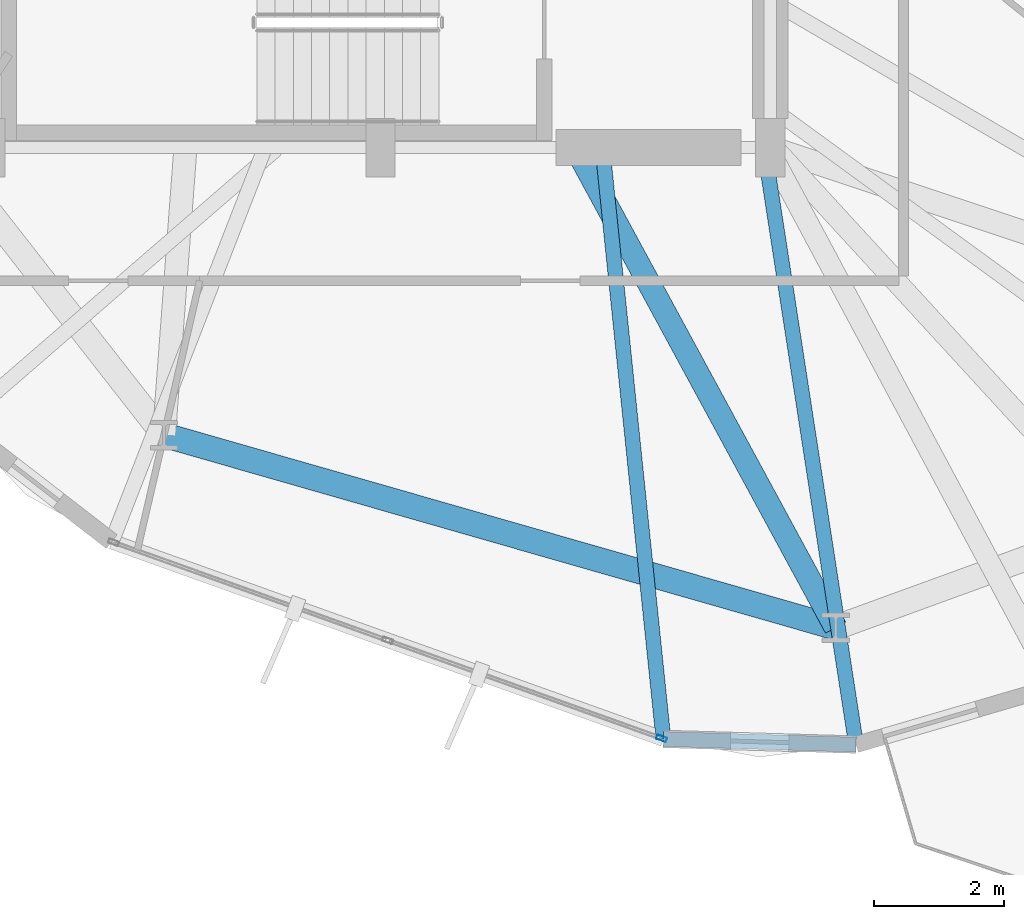
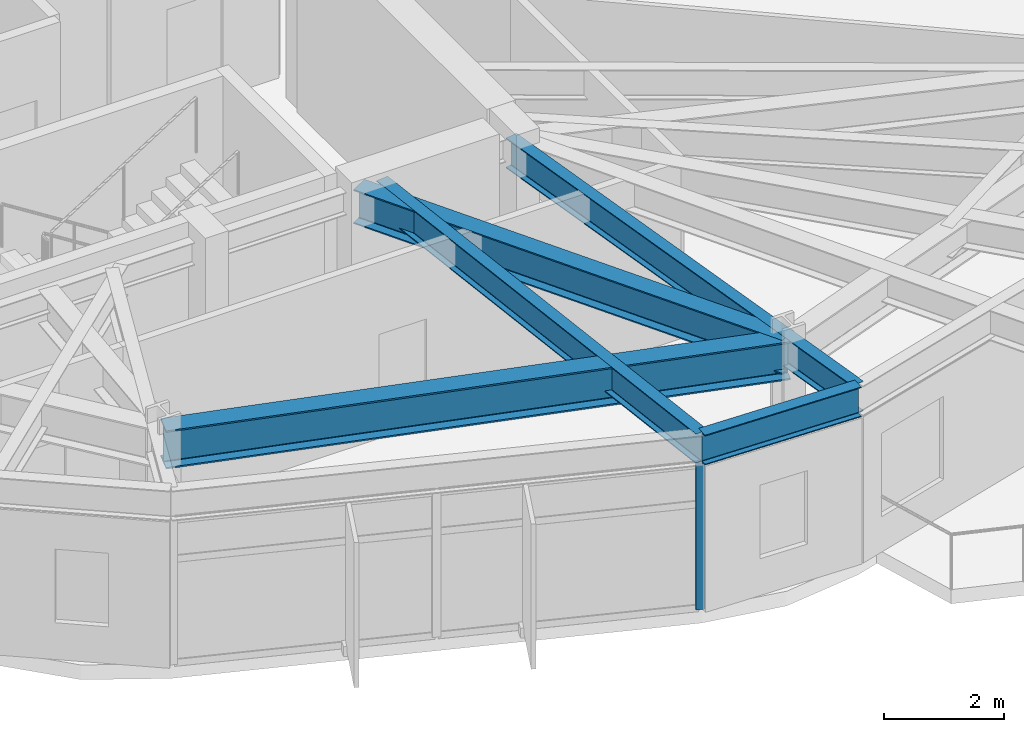
# One storey, part 4 of 24: 5 beams, 1 member, 1 element without a shape of its own.
"""IFC4 building model written with IfcOpenShell, lengths in metres."""

from ifc_helpers import new_model, si_unit, direction, frame, origin, origin_2d, place, context, subcontext, project, spatial, hollow_rectangle, i_section, extrude, material, layer, layer_set, material_profile, profile_set, type_object, element, aggregate, save


model = new_model("IFC4")

# Units and contexts
model_context = context("Model", 3, precision=1e-05, world=origin(), true_north=direction((0.0, 1.0)))
body_context = subcontext(model_context, "Body", "Model", "MODEL_VIEW")
ifc_project = project(units=[si_unit("LENGTHUNIT", "METRE"), si_unit("AREAUNIT", "SQUARE_METRE"), si_unit("VOLUMEUNIT", "CUBIC_METRE"), si_unit("PLANEANGLEUNIT", "RADIAN"), si_unit("MASSUNIT", "GRAM", prefix="KILO")], contexts=[model_context])

# Site, building, storey
site_placement = place(None, origin())
site = spatial("IfcSite", under=ifc_project, at=site_placement, CompositionType="ELEMENT")
building_placement = place(site_placement, origin())
building = spatial("IfcBuilding", under=site, at=building_placement, Name="Soratama Intermodal Tower", CompositionType="ELEMENT")
storey_placement = place(building_placement, frame((0.0, 0.0, 91.300048828125)))
storey = spatial("IfcBuildingStorey", under=building, at=storey_placement, Name="L21", CompositionType="ELEMENT", Elevation=91.300048828125)

# Beams
ifc_material_1 = material(Name="Structural steel ASTM A992 Grade 50", Category="steel")
ifc_material_profile_1 = material_profile(ifc_material_1, i_section(OverallWidth=0.35498046875, OverallDepth=0.695068359375, WebThickness=0.015380859375, FlangeThickness=0.02490234375, FilletRadius=0.01611328125, at=origin_2d()), Name="W27X146")
ifc_profile_set_1 = profile_set([ifc_material_profile_1], Name="Structural steel ASTM A992 Grade 50")
beam_type_1 = type_object("IfcBeamType", Name="BM-RING-W27X146", PredefinedType="BEAM", material=ifc_profile_set_1)
beam_1_placement = place(storey_placement, frame((41.60009765625, 15.0, 3.25244140625), z_axis=(0.476697610532, -0.879067339919, 0.0), x_axis=(0.879067339919, 0.476697610532, 0.0)))
element("IfcBeam", 1, at=beam_1_placement, inside=storey, type_object=beam_type_1, Name="BM-L21-RAD-08", PredefinedType="BEAM", context=body_context, shape_type="SweptSolid", body=[
    extrude(i_section(OverallWidth=0.35498046875, OverallDepth=0.695068359375, WebThickness=0.015380859375, FlangeThickness=0.02490234375, FilletRadius=0.01611328125, at=origin_2d()), origin(), (0.0, 0.0, 1.0), 8.405517578125),
])
ifc_material_2 = material(Name="Structural steel ASTM A992 Grade 50", Category="steel")
ifc_material_profile_2 = material_profile(ifc_material_2, i_section(OverallWidth=0.382080078125, OverallDepth=0.779052734375, WebThickness=0.01806640625, FlangeThickness=0.030029296875, FilletRadius=0.01806640625, at=origin_2d()), Name="W30X191")
ifc_profile_set_2 = profile_set([ifc_material_profile_2], Name="Structural steel ASTM A992 Grade 50")
beam_type_2 = type_object("IfcBeamType", Name="BM-RING-W30X191", PredefinedType="BEAM", material=ifc_profile_set_2)
beam_2_placement = place(storey_placement, frame((35.27001953125, 10.574951171875, 3.21044921875), z_axis=(0.961266505995, -0.275620580604, 0.0), x_axis=(0.275620580604, 0.961266505995, 0.0)))
element("IfcBeam", 2, at=beam_2_placement, inside=storey, type_object=beam_type_2, Name="BM-L21-RING-07", PredefinedType="BEAM", context=body_context, shape_type="SweptSolid", body=[
    extrude(i_section(OverallWidth=0.382080078125, OverallDepth=0.779052734375, WebThickness=0.01806640625, FlangeThickness=0.030029296875, FilletRadius=0.01806640625, at=origin_2d()), origin(), (0.0, 0.0, 1.0), 10.75341796875),
])
ifc_material_3 = material(Name="Structural steel ASTM A992 Grade 50", Category="steel")
ifc_material_profile_3 = material_profile(ifc_material_3, i_section(OverallWidth=0.22900390625, OverallDepth=0.612060546875, WebThickness=0.011962890625, FlangeThickness=0.01953125, FilletRadius=0.012939453125, at=origin_2d()), Name="W24X84")
ifc_profile_set_3 = profile_set([ifc_material_profile_3], Name="Structural steel ASTM A992 Grade 50")
beam_type_3 = type_object("IfcBeamType", Name="BM-SPN-W24X84", PredefinedType="SPANDREL", material=ifc_profile_set_3)
beam_3_placement = place(storey_placement, frame((42.9560546875, 5.89697265625, 3.2939453125), z_axis=(0.999570595411, -0.029302300063, 0.0), x_axis=(0.029302300063, 0.999570595411, 0.0)))
element("IfcBeam", 3, at=beam_3_placement, inside=storey, type_object=beam_type_3, Name="BS-L21-CRN07", PredefinedType="SPANDREL", context=body_context, shape_type="SweptSolid", body=[
    extrude(i_section(OverallWidth=0.22900390625, OverallDepth=0.612060546875, WebThickness=0.011962890625, FlangeThickness=0.01953125, FilletRadius=0.012939453125, at=origin_2d()), origin(), (0.0, 0.0, 1.0), 2.966064453125),
])
ifc_material_4 = material(Name="Structural steel ASTM A992 Grade 50", Category="steel")
ifc_material_profile_4 = material_profile(ifc_material_4, i_section(OverallWidth=0.22900390625, OverallDepth=0.612060546875, WebThickness=0.011962890625, FlangeThickness=0.01953125, FilletRadius=0.012939453125, at=origin_2d()), Name="W24X84")
ifc_profile_set_4 = profile_set([ifc_material_profile_4], Name="Structural steel ASTM A992 Grade 50")
beam_type_4 = type_object("IfcBeamType", Name="BM-TIE-W24X84", PredefinedType="BEAM", material=ifc_profile_set_4)
beam_4_placement = place(storey_placement, frame((42.02099609375, 14.9599609375, 3.2939453125), z_axis=(0.102628539573, -0.994719750917, 0.0), x_axis=(0.994719750917, 0.102628539573, 0.0)))
element("IfcBeam", 4, at=beam_4_placement, inside=storey, type_object=beam_type_4, Name="BM-L21-TIE1-07", PredefinedType="BEAM", context=body_context, shape_type="SweptSolid", body=[
    extrude(i_section(OverallWidth=0.22900390625, OverallDepth=0.612060546875, WebThickness=0.011962890625, FlangeThickness=0.01953125, FilletRadius=0.012939453125, at=origin_2d()), origin(), (0.0, 0.0, 1.0), 9.111083984375),
])
beam_5_placement = place(storey_placement, frame((44.512939453125, 14.9599609375, 3.2939453125), z_axis=(0.152086909769, -0.988367124037, 0.0), x_axis=(0.988367124037, 0.152086909769, 0.0)))
element("IfcBeam", 5, at=beam_5_placement, inside=storey, type_object=beam_type_4, Name="BM-L21-TIE0-08", PredefinedType="BEAM", context=body_context, shape_type="SweptSolid", body=[
    extrude(i_section(OverallWidth=0.22900390625, OverallDepth=0.612060546875, WebThickness=0.011962890625, FlangeThickness=0.01953125, FilletRadius=0.012939453125, at=origin_2d()), origin(), (0.0, 0.0, 1.0), 9.257568359375),
])

# Curtain wall, member
ifc_material_5 = material(Name="Double-glazed aluminium curtain wall", Category="aluminium")
ifc_layer = layer(ifc_material_5, 0.159912109375)
ifc_layer_set = layer_set([ifc_layer], Name="Double-glazed aluminium curtain wall")
curtain_wall_type = type_object("IfcCurtainWallType", Name="CW-SYS-3", PredefinedType="NOTDEFINED", material=ifc_layer_set)
curtain_wall_placement = place(storey_placement, origin())
curtain_wall = element("IfcCurtainWall", 6, at=curtain_wall_placement, inside=storey, type_object=curtain_wall_type, Name="L21 Faceted Curtain Wall F07", PredefinedType="NOTDEFINED")
ifc_material_6 = material(Name="Anodised aluminium AA 6063-T6", Category="aluminium")
ifc_material_profile_5 = material_profile(ifc_material_6, hollow_rectangle(XDim=0.070068359375, YDim=0.159912109375, WallThickness=0.0048828125, InnerFilletRadius=0.0048828125, OuterFilletRadius=0.010009765625, at=origin_2d()), Name="CWM160X70X5")
ifc_profile_set_5 = profile_set([ifc_material_profile_5], Name="Anodised aluminium AA 6063-T6")
member_type = type_object("IfcMemberType", Name="MT-CWM-3", PredefinedType="MULLION", material=ifc_profile_set_5)
member_placement = place(storey_placement, frame((42.927490234375, 5.9072265625, 0.0), z_axis=(0.0, 0.0, 1.0), x_axis=(0.336761412889, 0.941590012048, 0.0)))
member = element("IfcMember", 7, at=member_placement, type_object=member_type, Name="CW-3 mullion 3", PredefinedType="MULLION", context=body_context, shape_type="SweptSolid", body=[
    extrude(hollow_rectangle(XDim=0.070068359375, YDim=0.159912109375, WallThickness=0.0048828125, InnerFilletRadius=0.0048828125, OuterFilletRadius=0.010009765625, at=origin_2d()), origin(), (0.0, 0.0, 1.0), 2.97900390625),
])
aggregate(curtain_wall, [member])

save(model, "model.ifc")
